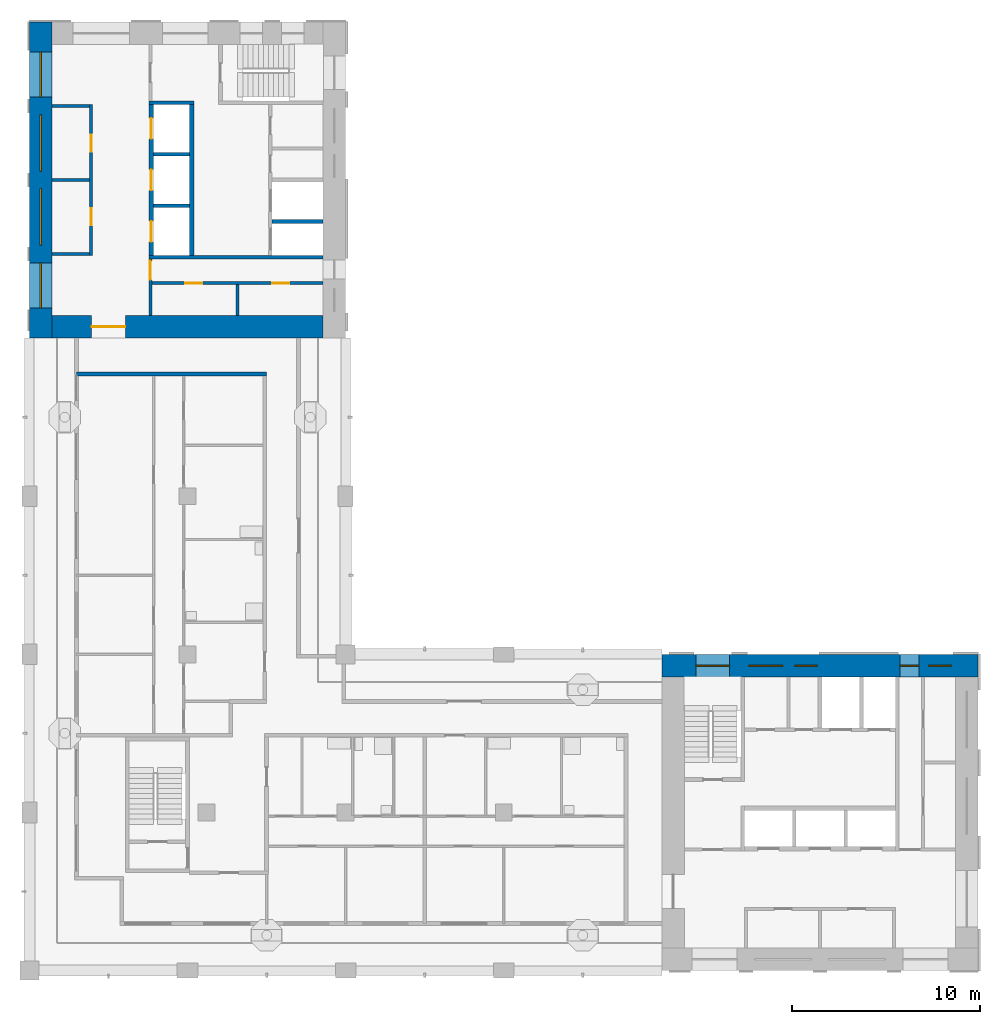
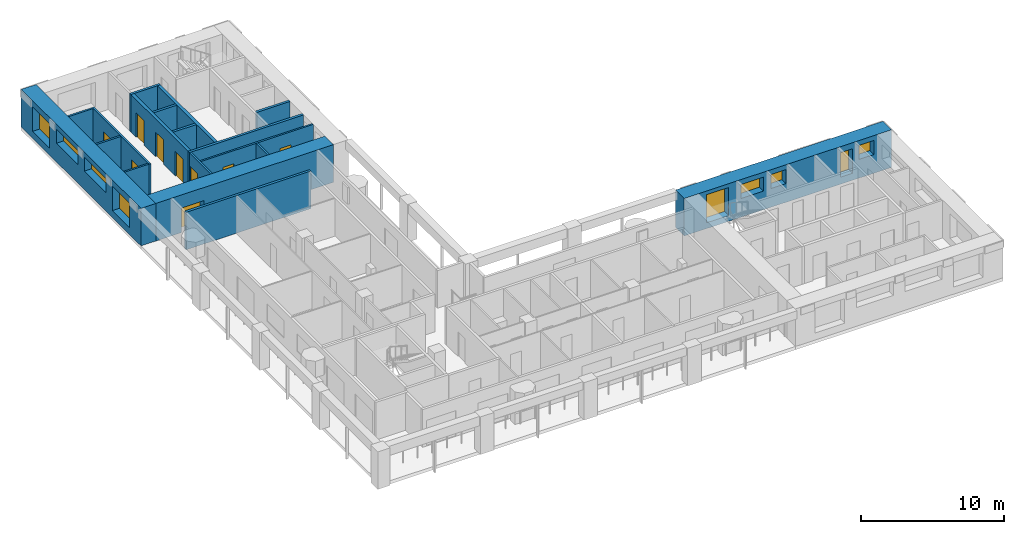
# One storey, part 5 of 11: 18 walls, 9 doors, 9 windows, 18 openings.
"""IFC4 building model written with IfcOpenShell, lengths in metres."""

from ifc_helpers import new_model, si_unit, direction, frame, frame_2d, origin, place, context, subcontext, project, spatial, rectangle, extrude, material, layer, layer_set, type_object, element, fill, save


model = new_model("IFC4")

# Units and contexts
model_context = context("Model", 3, precision=1e-05, world=origin(), true_north=direction((0.0, 1.0)))
body_context = subcontext(model_context, "Body", "Model", "MODEL_VIEW")
ifc_project = project(units=[si_unit("LENGTHUNIT", "METRE"), si_unit("AREAUNIT", "SQUARE_METRE"), si_unit("VOLUMEUNIT", "CUBIC_METRE"), si_unit("PLANEANGLEUNIT", "RADIAN"), si_unit("MASSUNIT", "GRAM", prefix="KILO")], contexts=[model_context])

# Site, building, storey
site_placement = place(None, origin())
site = spatial("IfcSite", under=ifc_project, at=site_placement, CompositionType="ELEMENT")
building_placement = place(site_placement, origin())
building = spatial("IfcBuilding", under=site, at=building_placement, Name="Vermilion Gate Residences", CompositionType="ELEMENT")
storey_placement = place(building_placement, frame((0.0, 0.0, 259.699951171875)))
storey = spatial("IfcBuildingStorey", under=building, at=storey_placement, Name="L68", CompositionType="ELEMENT", Elevation=259.699951171875)

# Walls
ifc_material_1 = material(Name="Masonry blockwork", Category="masonry")
ifc_layer_1 = layer(ifc_material_1, 0.14990234375)
ifc_layer_set_1 = layer_set([ifc_layer_1], Name="BLOCKWORK PARTITION 150 EI 120")
wall_type_1 = type_object("IfcWallType", Name="BLOCKWORK PARTITION 150 EI 120", PredefinedType="PARTITIONING", material=ifc_layer_set_1)
for number, where, z_axis, x_axis, name in (
    (1, (9.60009765625, 54.324951171875, 0.0), (0.0, 0.0, 1.0), (1.0, 0.0, 0.0), "Core room partition B68-RW-W"),
    (2, (9.60009765625, 46.47509765625, 0.0), (0.0, 0.0, 1.0), (1.0, 0.0, 0.0), "Core room partition B68-RW-E"),
    (3, (9.60009765625, 50.39990234375, 0.0), (0.0, 0.0, 1.0), (1.0, 0.0, 0.0), "Core room partition B68-SR-P0"),
):
    element("IfcWall", number, at=place(storey_placement, frame(where, z_axis=z_axis, x_axis=x_axis)), inside=storey, type_object=wall_type_1, Name=name, PredefinedType="PARTITIONING", context=body_context, shape_type="SweptSolid", body=[
        extrude(rectangle(XDim=2.0, YDim=0.14990234375, at=frame_2d((1.0, 0.0))), origin(), (0.0, 0.0, 1.0), 3.219970703125),
    ])

# Wall, openings, doors
wall_1_placement = place(storey_placement, frame((11.675048828125, 54.39990234375, 0.0), z_axis=(0.0, 0.0, 1.0), x_axis=(0.0, -1.0, 0.0)))
wall_1 = element("IfcWall", 4, at=wall_1_placement, inside=storey, type_object=wall_type_1, Name="Core room partition B68-LR-F", PredefinedType="PARTITIONING", context=body_context, shape_type="SweptSolid", body=[
    extrude(rectangle(XDim=8.0, YDim=0.14990234375, at=frame_2d((4.0, 0.0))), origin(), (0.0, 0.0, 1.0), 3.219970703125),
])
opening_1_placement = place(wall_1_placement, frame((1.58740234375, 0.0, 0.0)))
opening_1 = element("IfcOpeningElement", 5, at=opening_1_placement, cuts=wall_1, Name="Opening DK68102", PredefinedType="OPENING", context=body_context, shape_type="SweptSolid", body=[
    extrude(rectangle(XDim=0.89990234375, YDim=2.10009765625, at=frame_2d((0.449951171875, 1.050048828125))), frame((0.0, 0.0849609375, 0.0), z_axis=(0.0, -1.0, 0.0), x_axis=(1.0, 0.0, 0.0)), (0.0, 0.0, 1.0), 0.169921875),
])
opening_2_placement = place(wall_1_placement, frame((5.512451171875, 0.0, 0.0)))
opening_2 = element("IfcOpeningElement", 6, at=opening_2_placement, cuts=wall_1, Name="Opening DK68103", PredefinedType="OPENING", context=body_context, shape_type="SweptSolid", body=[
    extrude(rectangle(XDim=0.89990234375, YDim=2.10009765625, at=frame_2d((0.449951171875, 1.050048828125))), frame((0.0, 0.0849609375, 0.0), z_axis=(0.0, -1.0, 0.0), x_axis=(1.0, 0.0, 0.0)), (0.0, 0.0, 1.0), 0.169921875),
])
ifc_material_2 = material(Name="Steel", Category="steel")
door_type_1 = type_object("IfcDoorType", Name="SERVICE ROOM DOOR FD60 900 X 2100", OperationType="SINGLE_SWING_LEFT", PredefinedType="DOOR", material=ifc_material_2)
door_1_placement = place(opening_1_placement, frame((0.89990234375, 0.0, 0.0), z_axis=(0.0, 0.0, 1.0), x_axis=(-1.0, 0.0, 0.0)))
door_1 = element("IfcDoor", 7, at=door_1_placement, inside=storey, type_object=door_type_1, Name="Housekeeping store B68", OperationType="SINGLE_SWING_RIGHT", OverallHeight=2.10009765625, OverallWidth=0.89990234375, PredefinedType="DOOR", context=body_context, shape_type="SweptSolid", body=[
    extrude(rectangle(XDim=0.89990234375, YDim=2.10009765625, at=frame_2d((0.449951171875, 1.050048828125))), frame((0.0, 0.02490234375, 0.0), z_axis=(0.0, -1.0, 0.0), x_axis=(1.0, 0.0, 0.0)), (0.0, 0.0, 1.0), 0.050048828125),
])
fill(opening_1, door_1)
door_2_placement = place(opening_2_placement, frame((0.89990234375, 0.0, 0.0), z_axis=(0.0, 0.0, 1.0), x_axis=(-1.0, 0.0, 0.0)))
door_2 = element("IfcDoor", 8, at=door_2_placement, inside=storey, type_object=door_type_1, Name="Fire equipment store B68", OperationType="SINGLE_SWING_LEFT", OverallHeight=2.10009765625, OverallWidth=0.89990234375, PredefinedType="DOOR", context=body_context, shape_type="SweptSolid", body=[
    extrude(rectangle(XDim=0.89990234375, YDim=2.10009765625, at=frame_2d((0.449951171875, 1.050048828125))), frame((0.0, 0.02490234375, 0.0), z_axis=(0.0, -1.0, 0.0), x_axis=(1.0, 0.0, 0.0)), (0.0, 0.0, 1.0), 0.050048828125),
])
fill(opening_2, door_2)

# Wall, opening, door
wall_2_placement = place(storey_placement, frame((14.824951171875, 46.199951171875, 0.0), z_axis=(0.0, 0.0, 1.0), x_axis=(0.0, -1.0, 0.0)))
wall_2 = element("IfcWall", 9, at=wall_2_placement, inside=storey, type_object=wall_type_1, Name="Core room partition B68-ES-S", PredefinedType="PARTITIONING", context=body_context, shape_type="SweptSolid", body=[
    extrude(rectangle(XDim=3.0, YDim=0.14990234375, at=frame_2d((1.5, 0.0))), origin(), (0.0, 0.0, 1.0), 3.219970703125),
])
opening_3_placement = place(wall_2_placement, frame((0.10009765625, 0.0, 0.0)))
opening_3 = element("IfcOpeningElement", 10, at=opening_3_placement, cuts=wall_2, Name="Opening DK68113", PredefinedType="OPENING", context=body_context, shape_type="SweptSolid", body=[
    extrude(rectangle(XDim=1.0, YDim=2.10009765625, at=frame_2d((0.5, 1.050048828125))), frame((0.0, 0.0849609375, 0.0), z_axis=(0.0, -1.0, 0.0), x_axis=(1.0, 0.0, 0.0)), (0.0, 0.0, 1.0), 0.169921875),
])
ifc_material_3 = material(Name="Steel", Category="steel")
door_type_2 = type_object("IfcDoorType", Name="FIRE DOOR FD60 1000 X 2100", OperationType="SINGLE_SWING_LEFT", PredefinedType="DOOR", material=ifc_material_3)
door_3_placement = place(opening_3_placement, frame((1.0, 0.0, 0.0), z_axis=(0.0, 0.0, 1.0), x_axis=(-1.0, 0.0, 0.0)))
door_3 = element("IfcDoor", 11, at=door_3_placement, inside=storey, type_object=door_type_2, Name="Service corridor door B68", OperationType="SINGLE_SWING_LEFT", OverallHeight=2.10009765625, OverallWidth=1.0, PredefinedType="DOOR", context=body_context, shape_type="SweptSolid", body=[
    extrude(rectangle(XDim=1.0, YDim=2.10009765625, at=frame_2d((0.5, 1.050048828125))), frame((0.0, 0.02490234375, 0.0), z_axis=(0.0, -1.0, 0.0), x_axis=(1.0, 0.0, 0.0)), (0.0, 0.0, 1.0), 0.050048828125),
])
fill(opening_3, door_3)

# Wall
wall_3_placement = place(storey_placement, frame((19.449951171875, 44.85009765625, 0.0), z_axis=(0.0, 0.0, 1.0), x_axis=(0.0, -1.0, 0.0)))
element("IfcWall", 12, at=wall_3_placement, inside=storey, type_object=wall_type_1, Name="Core room partition B68-ES-P0", PredefinedType="PARTITIONING", context=body_context, shape_type="SweptSolid", body=[
    extrude(rectangle(XDim=1.650146484375, YDim=0.14990234375, at=frame_2d((0.8251953125, 0.0))), origin(), (0.0, 0.0, 1.0), 3.219970703125),
])

# Wall, openings, doors
wall_4_placement = place(storey_placement, frame((14.89990234375, 44.925048828125, 0.0), z_axis=(0.0, 0.0, 1.0), x_axis=(1.0, 0.0, 0.0)))
wall_4 = element("IfcWall", 13, at=wall_4_placement, inside=storey, type_object=wall_type_1, Name="Core room partition B68-ES-W", PredefinedType="PARTITIONING", context=body_context, shape_type="SweptSolid", body=[
    extrude(rectangle(XDim=9.10009765625, YDim=0.14990234375, at=frame_2d((4.550048828125, 0.0))), origin(), (0.0, 0.0, 1.0), 3.219970703125),
])
opening_4_placement = place(wall_4_placement, frame((1.78759765625, 0.0, 0.0)))
opening_4 = element("IfcOpeningElement", 14, at=opening_4_placement, cuts=wall_4, Name="Opening DK68114", PredefinedType="OPENING", context=body_context, shape_type="SweptSolid", body=[
    extrude(rectangle(XDim=0.89990234375, YDim=2.10009765625, at=frame_2d((0.449951171875, 1.050048828125))), frame((0.0, 0.0849609375, 0.0), z_axis=(0.0, -1.0, 0.0), x_axis=(1.0, 0.0, 0.0)), (0.0, 0.0, 1.0), 0.169921875),
])
opening_5_placement = place(wall_4_placement, frame((6.41259765625, 0.0, 0.0)))
opening_5 = element("IfcOpeningElement", 15, at=opening_5_placement, cuts=wall_4, Name="Opening DK68115", PredefinedType="OPENING", context=body_context, shape_type="SweptSolid", body=[
    extrude(rectangle(XDim=0.89990234375, YDim=2.10009765625, at=frame_2d((0.449951171875, 1.050048828125))), frame((0.0, 0.0849609375, 0.0), z_axis=(0.0, -1.0, 0.0), x_axis=(1.0, 0.0, 0.0)), (0.0, 0.0, 1.0), 0.169921875),
])
door_4_placement = place(opening_4_placement, frame((0.89990234375, 0.0, 0.0), z_axis=(0.0, 0.0, 1.0), x_axis=(-1.0, 0.0, 0.0)))
door_4 = element("IfcDoor", 16, at=door_4_placement, inside=storey, type_object=door_type_1, Name="Electrical room B68", OperationType="SINGLE_SWING_RIGHT", OverallHeight=2.10009765625, OverallWidth=0.89990234375, PredefinedType="DOOR", context=body_context, shape_type="SweptSolid", body=[
    extrude(rectangle(XDim=0.89990234375, YDim=2.10009765625, at=frame_2d((0.449951171875, 1.050048828125))), frame((0.0, 0.02490234375, 0.0), z_axis=(0.0, -1.0, 0.0), x_axis=(1.0, 0.0, 0.0)), (0.0, 0.0, 1.0), 0.050048828125),
])
fill(opening_4, door_4)
door_5_placement = place(opening_5_placement, frame((0.89990234375, 0.0, 0.0), z_axis=(0.0, 0.0, 1.0), x_axis=(-1.0, 0.0, 0.0)))
door_5 = element("IfcDoor", 17, at=door_5_placement, inside=storey, type_object=door_type_1, Name="Storage room B68", OperationType="SINGLE_SWING_RIGHT", OverallHeight=2.10009765625, OverallWidth=0.89990234375, PredefinedType="DOOR", context=body_context, shape_type="SweptSolid", body=[
    extrude(rectangle(XDim=0.89990234375, YDim=2.10009765625, at=frame_2d((0.449951171875, 1.050048828125))), frame((0.0, 0.02490234375, 0.0), z_axis=(0.0, -1.0, 0.0), x_axis=(1.0, 0.0, 0.0)), (0.0, 0.0, 1.0), 0.050048828125),
])
fill(opening_5, door_5)

# Walls
ifc_material_4 = material(Name="Fire-rated plasterboard on steel studs", Category="steel")
ifc_layer_2 = layer(ifc_material_4, 0.199951171875)
ifc_layer_set_2 = layer_set([ifc_layer_2], Name="PARTY WALL 200 EI 120")
wall_type_2 = type_object("IfcWallType", Name="PARTY WALL 200 EI 120", PredefinedType="PARTITIONING", material=ifc_layer_set_2)
wall_5_placement = place(storey_placement, frame((10.89990234375, 40.10009765625, 0.0), z_axis=(0.0, 0.0, 1.0), x_axis=(1.0, 0.0, 0.0)))
element("IfcWall", 18, at=wall_5_placement, inside=storey, type_object=wall_type_2, Name="Party and corridor wall", PredefinedType="PARTITIONING", context=body_context, shape_type="SweptSolid", body=[
    extrude(rectangle(XDim=10.10009765625, YDim=0.199951171875, at=frame_2d((5.050048828125, 0.0))), origin(), (0.0, 0.0, 1.0), 3.219970703125),
])
ifc_material_5 = material(Name="Concrete C60", Category="concrete")
ifc_layer_3 = layer(ifc_material_5, 0.199951171875)
ifc_layer_set_3 = layer_set([ifc_layer_3], Name="RC CORE INTERNAL WALL 200 C60")
wall_type_3 = type_object("IfcWallType", Name="RC CORE INTERNAL WALL 200 C60", PredefinedType="SHEAR", material=ifc_layer_set_3)
for number, where, z_axis, x_axis, name in (
    (19, (15.0, 51.7666015625, 0.0), (0.0, 0.0, 1.0), (1.0, 0.0, 0.0), "Core internal wall B68-HR-D1"),
    (20, (15.0, 49.033447265625, 0.0), (0.0, 0.0, 1.0), (1.0, 0.0, 0.0), "Core internal wall B68-HR-D2"),
):
    element("IfcWall", number, at=place(storey_placement, frame(where, z_axis=z_axis, x_axis=x_axis)), inside=storey, type_object=wall_type_3, Name=name, PredefinedType="SHEAR", context=body_context, shape_type="SweptSolid", body=[
        extrude(rectangle(XDim=1.89990234375, YDim=0.199951171875, at=frame_2d((0.949951171875, 0.0))), origin(), (0.0, 0.0, 1.0), 3.219970703125),
    ])
wall_6_placement = place(storey_placement, frame((21.300048828125, 48.199951171875, 0.0), z_axis=(0.0, 0.0, 1.0), x_axis=(1.0, 0.0, 0.0)))
element("IfcWall", 21, at=wall_6_placement, inside=storey, type_object=wall_type_3, Name="Core internal wall B68-FF-D1", PredefinedType="SHEAR", context=body_context, shape_type="SweptSolid", body=[
    extrude(rectangle(XDim=2.699951171875, YDim=0.199951171875, at=frame_2d((1.35009765625, 0.0))), origin(), (0.0, 0.0, 1.0), 3.219970703125),
])
wall_7_placement = place(storey_placement, frame((14.75, 54.5, 0.0), z_axis=(0.0, 0.0, 1.0), x_axis=(1.0, 0.0, 0.0)))
element("IfcWall", 22, at=wall_7_placement, inside=storey, type_object=wall_type_3, Name="Core internal wall B68-WDIV1", PredefinedType="SHEAR", context=body_context, shape_type="SweptSolid", body=[
    extrude(rectangle(XDim=2.39990234375, YDim=0.199951171875, at=frame_2d((1.199951171875, 0.0))), origin(), (0.0, 0.0, 1.0), 3.219970703125),
])
wall_8_placement = place(storey_placement, frame((14.75, 46.300048828125, 0.0), z_axis=(0.0, 0.0, 1.0), x_axis=(1.0, 0.0, 0.0)))
element("IfcWall", 23, at=wall_8_placement, inside=storey, type_object=wall_type_3, Name="Core internal wall B68-EDIV", PredefinedType="SHEAR", context=body_context, shape_type="SweptSolid", body=[
    extrude(rectangle(XDim=9.25, YDim=0.199951171875, at=frame_2d((4.625, 0.0))), origin(), (0.0, 0.0, 1.0), 3.219970703125),
])

# Wall, opening, door
ifc_material_6 = material(Name="Concrete C50", Category="concrete")
ifc_layer_4 = layer(ifc_material_6, 1.199951171875)
ifc_layer_set_4 = layer_set([ifc_layer_4], Name="RC CORE WALL 1200 C50")
wall_type_4 = type_object("IfcWallType", Name="RC CORE WALL 1200 C50", PredefinedType="SHEAR", material=ifc_layer_set_4)
wall_9_placement = place(storey_placement, frame((9.60009765625, 42.60009765625, 0.0), z_axis=(0.0, 0.0, 1.0), x_axis=(1.0, 0.0, 0.0)))
wall_9 = element("IfcWall", 24, at=wall_9_placement, inside=storey, type_object=wall_type_4, Name="Core wall B68-OUT-BK", PredefinedType="SHEAR", context=body_context, shape_type="SweptSolid", body=[
    extrude(rectangle(XDim=14.39990234375, YDim=1.199951171875, at=frame_2d((7.199951171875, 0.0))), origin(), (0.0, 0.0, 1.0), 3.219970703125),
])
opening_6_placement = place(wall_9_placement, frame((2.10009765625, 0.0, 0.0)))
opening_6 = element("IfcOpeningElement", 25, at=opening_6_placement, cuts=wall_9, Name="Opening DK68101", PredefinedType="OPENING", context=body_context, shape_type="SweptSolid", body=[
    extrude(rectangle(XDim=1.800048828125, YDim=2.10009765625, at=frame_2d((0.89990234375, 1.050048828125))), frame((0.0, 0.60986328125, 0.0), z_axis=(0.0, -1.0, 0.0), x_axis=(1.0, 0.0, 0.0)), (0.0, 0.0, 1.0), 1.219970703125),
])
ifc_material_7 = material(Name="Steel", Category="steel")
door_type_3 = type_object("IfcDoorType", Name="CORE LOBBY DOOR FD60 1800 X 2100", OperationType="DOUBLE_DOOR_SINGLE_SWING", PredefinedType="DOOR", material=ifc_material_7)
door_6_placement = place(opening_6_placement, frame((1.800048828125, 0.0, 0.0), z_axis=(0.0, 0.0, 1.0), x_axis=(-1.0, 0.0, 0.0)))
door_6 = element("IfcDoor", 26, at=door_6_placement, inside=storey, type_object=door_type_3, Name="Core lobby door B68", OperationType="DOUBLE_DOOR_SINGLE_SWING", OverallHeight=2.10009765625, OverallWidth=1.800048828125, PredefinedType="DOOR", context=body_context, shape_type="SweptSolid", body=[
    extrude(rectangle(XDim=1.800048828125, YDim=2.10009765625, at=frame_2d((0.89990234375, 1.050048828125))), frame((0.0, 0.02490234375, 0.0), z_axis=(0.0, -1.0, 0.0), x_axis=(1.0, 0.0, 0.0)), (0.0, 0.0, 1.0), 0.050048828125),
])
fill(opening_6, door_6)

# Wall, openings, windows
ifc_material_8 = material(Name="Concrete C50 red-oxide pigmented", Category="concrete")
ifc_layer_5 = layer(ifc_material_8, 1.199951171875)
ifc_layer_set_5 = layer_set([ifc_layer_5], Name="RC CORE WALL 1200 C50 RED OXIDE")
wall_type_5 = type_object("IfcWallType", Name="RC CORE WALL 1200 C50 RED OXIDE", PredefinedType="SHEAR", material=ifc_layer_set_5)
wall_10_placement = place(storey_placement, frame((42.0, 24.60009765625, 0.0), z_axis=(0.0, 0.0, 1.0), x_axis=(1.0, 0.0, 0.0)))
wall_10 = element("IfcWall", 27, at=wall_10_placement, inside=storey, type_object=wall_type_5, Name="Core wall A68-OUT-B1", PredefinedType="SHEAR", context=body_context, shape_type="SweptSolid", body=[
    extrude(rectangle(XDim=16.800048828125, YDim=1.199951171875, at=frame_2d((8.39990234375, 0.0))), origin(), (0.0, 0.0, 1.0), 3.219970703125),
])
opening_7_placement = place(wall_10_placement, frame((1.800048828125, 0.0, 0.5)))
opening_7 = element("IfcOpeningElement", 28, at=opening_7_placement, cuts=wall_10, Name="Opening WKA6805", PredefinedType="OPENING", context=body_context, shape_type="SweptSolid", body=[
    extrude(rectangle(XDim=1.800048828125, YDim=2.39990234375, at=frame_2d((0.89990234375, 1.199951171875))), frame((0.0, 0.60986328125, 0.0), z_axis=(0.0, -1.0, 0.0), x_axis=(1.0, 0.0, 0.0)), (0.0, 0.0, 1.0), 1.219970703125),
])
opening_8_placement = place(wall_10_placement, frame((4.625, 0.0, 1.60009765625)))
opening_8 = element("IfcOpeningElement", 29, at=opening_8_placement, cuts=wall_10, Name="Opening WKA6806", PredefinedType="OPENING", context=body_context, shape_type="SweptSolid", body=[
    extrude(rectangle(XDim=1.800048828125, YDim=1.199951171875, at=frame_2d((0.89990234375, 0.60009765625))), frame((0.0, 0.60986328125, 0.0), z_axis=(0.0, -1.0, 0.0), x_axis=(1.0, 0.0, 0.0)), (0.0, 0.0, 1.0), 1.219970703125),
])
opening_9_placement = place(wall_10_placement, frame((7.050048828125, 0.0, 1.60009765625)))
opening_9 = element("IfcOpeningElement", 30, at=opening_9_placement, cuts=wall_10, Name="Opening WKA6807", PredefinedType="OPENING", context=body_context, shape_type="SweptSolid", body=[
    extrude(rectangle(XDim=1.199951171875, YDim=1.199951171875, at=frame_2d((0.60009765625, 0.60009765625))), frame((0.0, 0.60986328125, 0.0), z_axis=(0.0, -1.0, 0.0), x_axis=(1.0, 0.0, 0.0)), (0.0, 0.0, 1.0), 1.219970703125),
])
opening_10_placement = place(wall_10_placement, frame((12.64990234375, 0.0, 0.60009765625)))
opening_10 = element("IfcOpeningElement", 31, at=opening_10_placement, cuts=wall_10, Name="Opening WKA6808", PredefinedType="OPENING", context=body_context, shape_type="SweptSolid", body=[
    extrude(rectangle(XDim=1.0, YDim=2.10009765625, at=frame_2d((0.5, 1.050048828125))), frame((0.0, 0.60986328125, 0.0), z_axis=(0.0, -1.0, 0.0), x_axis=(1.0, 0.0, 0.0)), (0.0, 0.0, 1.0), 1.219970703125),
])
opening_11_placement = place(wall_10_placement, frame((14.175048828125, 0.0, 1.60009765625)))
opening_11 = element("IfcOpeningElement", 32, at=opening_11_placement, cuts=wall_10, Name="Opening WKA6809", PredefinedType="OPENING", context=body_context, shape_type="SweptSolid", body=[
    extrude(rectangle(XDim=1.199951171875, YDim=1.199951171875, at=frame_2d((0.60009765625, 0.60009765625))), frame((0.0, 0.60986328125, 0.0), z_axis=(0.0, -1.0, 0.0), x_axis=(1.0, 0.0, 0.0)), (0.0, 0.0, 1.0), 1.219970703125),
])
ifc_material_9 = material(Name="Aluminium and clear glass", Category="aluminium")
window_type_1 = type_object("IfcWindowType", Name="CORE CORRIDOR WINDOW 1000 X 2100", PartitioningType="SINGLE_PANEL", PredefinedType="WINDOW", material=ifc_material_9)
window_1_placement = place(opening_10_placement, origin())
window_1 = element("IfcWindow", 33, at=window_1_placement, inside=storey, type_object=window_type_1, Name="Core corridor window", OverallHeight=2.10009765625, OverallWidth=1.0, PartitioningType="SINGLE_PANEL", PredefinedType="WINDOW", context=body_context, shape_type="SweptSolid", body=[
    extrude(rectangle(XDim=1.0, YDim=2.10009765625, at=frame_2d((0.5, 1.050048828125))), frame((0.0, 0.030029296875, 0.0), z_axis=(0.0, -1.0, 0.0), x_axis=(1.0, 0.0, 0.0)), (0.0, 0.0, 1.0), 0.06005859375),
])
fill(opening_10, window_1)
ifc_material_10 = material(Name="Aluminium frame with louvre blades", Category="aluminium")
window_type_2 = type_object("IfcWindowType", Name="CORE LOUVRE 1200 X 1200", PartitioningType="SINGLE_PANEL", PredefinedType="WINDOW", material=ifc_material_10)
window_2_placement = place(opening_9_placement, origin())
window_2 = element("IfcWindow", 34, at=window_2_placement, inside=storey, type_object=window_type_2, Name="Core louvre", OverallHeight=1.199951171875, OverallWidth=1.199951171875, PartitioningType="SINGLE_PANEL", PredefinedType="WINDOW", context=body_context, shape_type="SweptSolid", body=[
    extrude(rectangle(XDim=1.199951171875, YDim=1.199951171875, at=frame_2d((0.60009765625, 0.60009765625))), frame((0.0, 0.030029296875, 0.0), z_axis=(0.0, -1.0, 0.0), x_axis=(1.0, 0.0, 0.0)), (0.0, 0.0, 1.0), 0.06005859375),
])
fill(opening_9, window_2)
window_3_placement = place(opening_11_placement, origin())
window_3 = element("IfcWindow", 35, at=window_3_placement, inside=storey, type_object=window_type_2, Name="Core louvre", OverallHeight=1.199951171875, OverallWidth=1.199951171875, PartitioningType="SINGLE_PANEL", PredefinedType="WINDOW", context=body_context, shape_type="SweptSolid", body=[
    extrude(rectangle(XDim=1.199951171875, YDim=1.199951171875, at=frame_2d((0.60009765625, 0.60009765625))), frame((0.0, 0.030029296875, 0.0), z_axis=(0.0, -1.0, 0.0), x_axis=(1.0, 0.0, 0.0)), (0.0, 0.0, 1.0), 0.06005859375),
])
fill(opening_11, window_3)
ifc_material_11 = material(Name="Aluminium frame with louvre blades", Category="aluminium")
window_type_3 = type_object("IfcWindowType", Name="CORE LOUVRE 1800 X 1200", PartitioningType="SINGLE_PANEL", PredefinedType="WINDOW", material=ifc_material_11)
window_4_placement = place(opening_8_placement, origin())
window_4 = element("IfcWindow", 36, at=window_4_placement, inside=storey, type_object=window_type_3, Name="Core louvre", OverallHeight=1.199951171875, OverallWidth=1.800048828125, PartitioningType="SINGLE_PANEL", PredefinedType="WINDOW", context=body_context, shape_type="SweptSolid", body=[
    extrude(rectangle(XDim=1.800048828125, YDim=1.199951171875, at=frame_2d((0.89990234375, 0.60009765625))), frame((0.0, 0.030029296875, 0.0), z_axis=(0.0, -1.0, 0.0), x_axis=(1.0, 0.0, 0.0)), (0.0, 0.0, 1.0), 0.06005859375),
])
fill(opening_8, window_4)
ifc_material_12 = material(Name="Aluminium and clear glass", Category="aluminium")
window_type_4 = type_object("IfcWindowType", Name="CORE STAIR WINDOW 1800 X 2400", PartitioningType="SINGLE_PANEL", PredefinedType="WINDOW", material=ifc_material_12)
window_5_placement = place(opening_7_placement, origin())
window_5 = element("IfcWindow", 37, at=window_5_placement, inside=storey, type_object=window_type_4, Name="Core stair window", OverallHeight=2.39990234375, OverallWidth=1.800048828125, PartitioningType="SINGLE_PANEL", PredefinedType="WINDOW", context=body_context, shape_type="SweptSolid", body=[
    extrude(rectangle(XDim=1.800048828125, YDim=2.39990234375, at=frame_2d((0.89990234375, 1.199951171875))), frame((0.0, 0.030029296875, 0.0), z_axis=(0.0, -1.0, 0.0), x_axis=(1.0, 0.0, 0.0)), (0.0, 0.0, 1.0), 0.06005859375),
])
fill(opening_7, window_5)

wall_11_placement = place(storey_placement, frame((9.0, 58.800048828125, 0.0), z_axis=(0.0, 0.0, 1.0), x_axis=(0.0, -1.0, 0.0)))
wall_11 = element("IfcWall", 38, at=wall_11_placement, inside=storey, type_object=wall_type_5, Name="Core wall B68-OUT-B0", PredefinedType="SHEAR", context=body_context, shape_type="SweptSolid", body=[
    extrude(rectangle(XDim=16.800048828125, YDim=1.199951171875, at=frame_2d((8.39990234375, 0.0))), origin(), (0.0, 0.0, 1.0), 3.219970703125),
])
opening_12_placement = place(wall_11_placement, frame((1.60009765625, 0.0, 0.60009765625)))
opening_12 = element("IfcOpeningElement", 39, at=opening_12_placement, cuts=wall_11, Name="Opening WKB6801", PredefinedType="OPENING", context=body_context, shape_type="SweptSolid", body=[
    extrude(rectangle(XDim=2.39990234375, YDim=2.10009765625, at=frame_2d((1.199951171875, 1.050048828125))), frame((0.0, 0.60986328125, 0.0), z_axis=(0.0, -1.0, 0.0), x_axis=(1.0, 0.0, 0.0)), (0.0, 0.0, 1.0), 1.219970703125),
])
opening_13_placement = place(wall_11_placement, frame((4.9375, 0.0, 1.60009765625)))
opening_13 = element("IfcOpeningElement", 40, at=opening_13_placement, cuts=wall_11, Name="Opening WKB6802", PredefinedType="OPENING", context=body_context, shape_type="SweptSolid", body=[
    extrude(rectangle(XDim=3.0, YDim=1.199951171875, at=frame_2d((1.5, 0.60009765625))), frame((0.0, 0.60986328125, 0.0), z_axis=(0.0, -1.0, 0.0), x_axis=(1.0, 0.0, 0.0)), (0.0, 0.0, 1.0), 1.219970703125),
])
opening_14_placement = place(wall_11_placement, frame((8.862548828125, 0.0, 1.60009765625)))
opening_14 = element("IfcOpeningElement", 41, at=opening_14_placement, cuts=wall_11, Name="Opening WKB6803", PredefinedType="OPENING", context=body_context, shape_type="SweptSolid", body=[
    extrude(rectangle(XDim=3.0, YDim=1.199951171875, at=frame_2d((1.5, 0.60009765625))), frame((0.0, 0.60986328125, 0.0), z_axis=(0.0, -1.0, 0.0), x_axis=(1.0, 0.0, 0.0)), (0.0, 0.0, 1.0), 1.219970703125),
])
opening_15_placement = place(wall_11_placement, frame((12.800048828125, 0.0, 0.60009765625)))
opening_15 = element("IfcOpeningElement", 42, at=opening_15_placement, cuts=wall_11, Name="Opening WKB6804", PredefinedType="OPENING", context=body_context, shape_type="SweptSolid", body=[
    extrude(rectangle(XDim=2.39990234375, YDim=2.10009765625, at=frame_2d((1.199951171875, 1.050048828125))), frame((0.0, 0.60986328125, 0.0), z_axis=(0.0, -1.0, 0.0), x_axis=(1.0, 0.0, 0.0)), (0.0, 0.0, 1.0), 1.219970703125),
])
ifc_material_13 = material(Name="Aluminium and clear glass", Category="aluminium")
window_type_5 = type_object("IfcWindowType", Name="CORE LOBBY WINDOW 2400 X 2100", PartitioningType="SINGLE_PANEL", PredefinedType="WINDOW", material=ifc_material_13)
window_6_placement = place(opening_12_placement, origin())
window_6 = element("IfcWindow", 43, at=window_6_placement, inside=storey, type_object=window_type_5, Name="Core lobby window", OverallHeight=2.10009765625, OverallWidth=2.39990234375, PartitioningType="SINGLE_PANEL", PredefinedType="WINDOW", context=body_context, shape_type="SweptSolid", body=[
    extrude(rectangle(XDim=2.39990234375, YDim=2.10009765625, at=frame_2d((1.199951171875, 1.050048828125))), frame((0.0, 0.030029296875, 0.0), z_axis=(0.0, -1.0, 0.0), x_axis=(1.0, 0.0, 0.0)), (0.0, 0.0, 1.0), 0.06005859375),
])
fill(opening_12, window_6)
window_7_placement = place(opening_15_placement, origin())
window_7 = element("IfcWindow", 44, at=window_7_placement, inside=storey, type_object=window_type_5, Name="Core lobby window", OverallHeight=2.10009765625, OverallWidth=2.39990234375, PartitioningType="SINGLE_PANEL", PredefinedType="WINDOW", context=body_context, shape_type="SweptSolid", body=[
    extrude(rectangle(XDim=2.39990234375, YDim=2.10009765625, at=frame_2d((1.199951171875, 1.050048828125))), frame((0.0, 0.030029296875, 0.0), z_axis=(0.0, -1.0, 0.0), x_axis=(1.0, 0.0, 0.0)), (0.0, 0.0, 1.0), 0.06005859375),
])
fill(opening_15, window_7)
ifc_material_14 = material(Name="Aluminium frame with louvre blades", Category="aluminium")
window_type_6 = type_object("IfcWindowType", Name="CORE LOUVRE 3000 X 1200", PartitioningType="SINGLE_PANEL", PredefinedType="WINDOW", material=ifc_material_14)
window_8_placement = place(opening_13_placement, origin())
window_8 = element("IfcWindow", 45, at=window_8_placement, inside=storey, type_object=window_type_6, Name="Core louvre", OverallHeight=1.199951171875, OverallWidth=3.0, PartitioningType="SINGLE_PANEL", PredefinedType="WINDOW", context=body_context, shape_type="SweptSolid", body=[
    extrude(rectangle(XDim=3.0, YDim=1.199951171875, at=frame_2d((1.5, 0.60009765625))), frame((0.0, 0.030029296875, 0.0), z_axis=(0.0, -1.0, 0.0), x_axis=(1.0, 0.0, 0.0)), (0.0, 0.0, 1.0), 0.06005859375),
])
fill(opening_13, window_8)
window_9_placement = place(opening_14_placement, origin())
window_9 = element("IfcWindow", 46, at=window_9_placement, inside=storey, type_object=window_type_6, Name="Core louvre", OverallHeight=1.199951171875, OverallWidth=3.0, PartitioningType="SINGLE_PANEL", PredefinedType="WINDOW", context=body_context, shape_type="SweptSolid", body=[
    extrude(rectangle(XDim=3.0, YDim=1.199951171875, at=frame_2d((1.5, 0.60009765625))), frame((0.0, 0.030029296875, 0.0), z_axis=(0.0, -1.0, 0.0), x_axis=(1.0, 0.0, 0.0)), (0.0, 0.0, 1.0), 0.06005859375),
])
fill(opening_14, window_9)

# Wall, openings, doors
ifc_material_15 = material(Name="Concrete C60", Category="concrete")
ifc_layer_6 = layer(ifc_material_15, 0.25)
ifc_layer_set_6 = layer_set([ifc_layer_6], Name="RC LIFT SHAFT WALL 250 C60")
wall_type_6 = type_object("IfcWallType", Name="RC LIFT SHAFT WALL 250 C60", PredefinedType="SHEAR", material=ifc_layer_set_6)
wall_12_placement = place(storey_placement, frame((14.875, 54.39990234375, 0.0), z_axis=(0.0, 0.0, 1.0), x_axis=(0.0, -1.0, 0.0)))
wall_12 = element("IfcWall", 47, at=wall_12_placement, inside=storey, type_object=wall_type_6, Name="Lift shaft wall B68-HR-F", PredefinedType="SHEAR", context=body_context, shape_type="SweptSolid", body=[
    extrude(rectangle(XDim=8.0, YDim=0.25, at=frame_2d((4.0, 0.0))), origin(), (0.0, 0.0, 1.0), 3.219970703125),
])
opening_16_placement = place(wall_12_placement, frame((0.716552734375, 0.0, 0.0)))
opening_16 = element("IfcOpeningElement", 48, at=opening_16_placement, cuts=wall_12, Name="Opening LD", PredefinedType="OPENING", context=body_context, shape_type="SweptSolid", body=[
    extrude(rectangle(XDim=1.10009765625, YDim=2.10009765625, at=frame_2d((0.550048828125, 1.050048828125))), frame((0.0, 0.135009765625, 0.0), z_axis=(0.0, -1.0, 0.0), x_axis=(1.0, 0.0, 0.0)), (0.0, 0.0, 1.0), 0.27001953125),
])
opening_17_placement = place(wall_12_placement, frame((3.449951171875, 0.0, 0.0)))
opening_17 = element("IfcOpeningElement", 49, at=opening_17_placement, cuts=wall_12, Name="Opening LD", PredefinedType="OPENING", context=body_context, shape_type="SweptSolid", body=[
    extrude(rectangle(XDim=1.10009765625, YDim=2.10009765625, at=frame_2d((0.550048828125, 1.050048828125))), frame((0.0, 0.135009765625, 0.0), z_axis=(0.0, -1.0, 0.0), x_axis=(1.0, 0.0, 0.0)), (0.0, 0.0, 1.0), 0.27001953125),
])
opening_18_placement = place(wall_12_placement, frame((6.183349609375, 0.0, 0.0)))
opening_18 = element("IfcOpeningElement", 50, at=opening_18_placement, cuts=wall_12, Name="Opening LD", PredefinedType="OPENING", context=body_context, shape_type="SweptSolid", body=[
    extrude(rectangle(XDim=1.10009765625, YDim=2.10009765625, at=frame_2d((0.550048828125, 1.050048828125))), frame((0.0, 0.135009765625, 0.0), z_axis=(0.0, -1.0, 0.0), x_axis=(1.0, 0.0, 0.0)), (0.0, 0.0, 1.0), 0.27001953125),
])
ifc_material_16 = material(Name="Stainless steel", Category="steel")
door_type_4 = type_object("IfcDoorType", Name="LIFT LANDING DOOR E60 1100 X 2100", OperationType="DOUBLE_DOOR_SLIDING", PredefinedType="DOOR", material=ifc_material_16)
door_7_placement = place(opening_16_placement, origin())
door_7 = element("IfcDoor", 51, at=door_7_placement, inside=storey, type_object=door_type_4, Name="Lift landing door HRB1", OperationType="DOUBLE_DOOR_SLIDING", OverallHeight=2.10009765625, OverallWidth=1.10009765625, PredefinedType="DOOR", context=body_context, shape_type="SweptSolid", body=[
    extrude(rectangle(XDim=1.10009765625, YDim=2.10009765625, at=frame_2d((0.550048828125, 1.050048828125))), frame((0.0, 0.02490234375, 0.0), z_axis=(0.0, -1.0, 0.0), x_axis=(1.0, 0.0, 0.0)), (0.0, 0.0, 1.0), 0.050048828125),
])
fill(opening_16, door_7)
door_8_placement = place(opening_17_placement, origin())
door_8 = element("IfcDoor", 52, at=door_8_placement, inside=storey, type_object=door_type_4, Name="Lift landing door HRB2", OperationType="DOUBLE_DOOR_SLIDING", OverallHeight=2.10009765625, OverallWidth=1.10009765625, PredefinedType="DOOR", context=body_context, shape_type="SweptSolid", body=[
    extrude(rectangle(XDim=1.10009765625, YDim=2.10009765625, at=frame_2d((0.550048828125, 1.050048828125))), frame((0.0, 0.02490234375, 0.0), z_axis=(0.0, -1.0, 0.0), x_axis=(1.0, 0.0, 0.0)), (0.0, 0.0, 1.0), 0.050048828125),
])
fill(opening_17, door_8)
door_9_placement = place(opening_18_placement, origin())
door_9 = element("IfcDoor", 53, at=door_9_placement, inside=storey, type_object=door_type_4, Name="Lift landing door HRB3", OperationType="DOUBLE_DOOR_SLIDING", OverallHeight=2.10009765625, OverallWidth=1.10009765625, PredefinedType="DOOR", context=body_context, shape_type="SweptSolid", body=[
    extrude(rectangle(XDim=1.10009765625, YDim=2.10009765625, at=frame_2d((0.550048828125, 1.050048828125))), frame((0.0, 0.02490234375, 0.0), z_axis=(0.0, -1.0, 0.0), x_axis=(1.0, 0.0, 0.0)), (0.0, 0.0, 1.0), 0.050048828125),
])
fill(opening_18, door_9)

# Wall
wall_13_placement = place(storey_placement, frame((17.02490234375, 54.39990234375, 0.0), z_axis=(0.0, 0.0, 1.0), x_axis=(0.0, -1.0, 0.0)))
element("IfcWall", 54, at=wall_13_placement, inside=storey, type_object=wall_type_6, Name="Lift shaft wall B68-HR-B", PredefinedType="SHEAR", context=body_context, shape_type="SweptSolid", body=[
    extrude(rectangle(XDim=8.0, YDim=0.25, at=frame_2d((4.0, 0.0))), origin(), (0.0, 0.0, 1.0), 3.219970703125),
])

save(model, "model.ifc")
